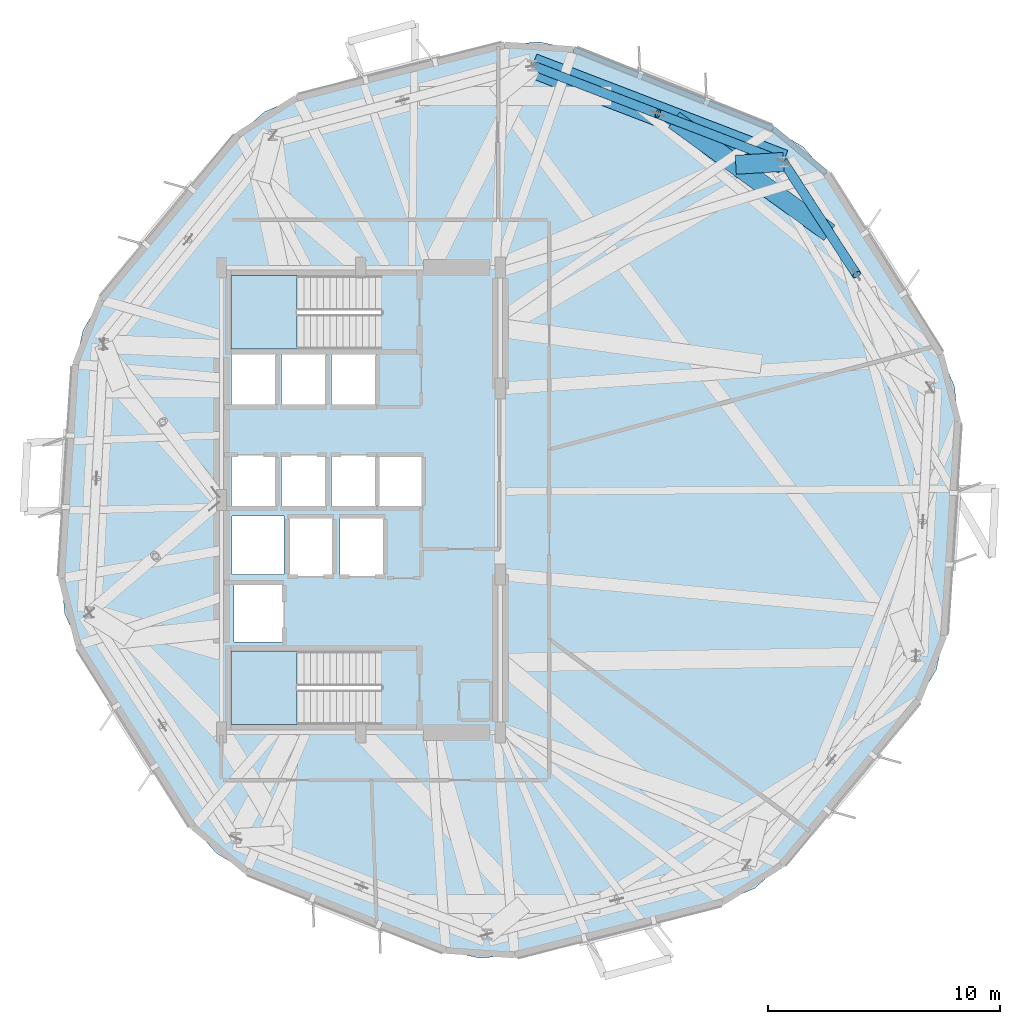
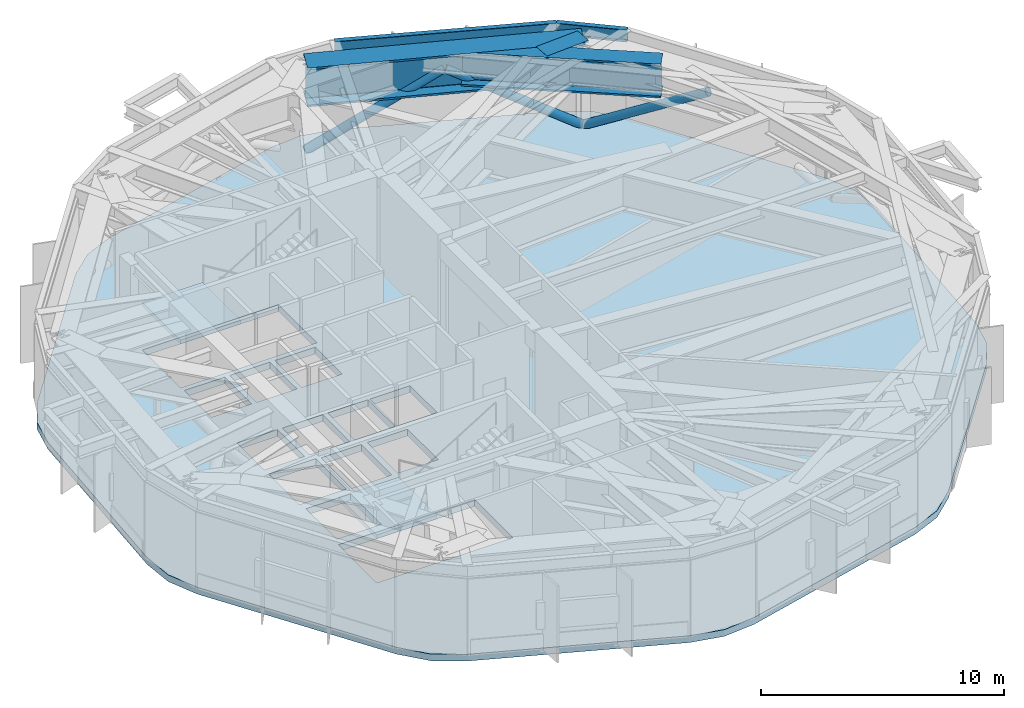
# One storey, part 5 of 13: 5 beams, 3 members, 3 slabs, 2 elements without a shape of their own.
"""IFC4 building model written with IfcOpenShell, lengths in metres."""

import ifcopenshell
import ifcopenshell.guid

model = None  # the IFC model being written
_history = None  # IfcOwnerHistory: only IFC2X3 demands one
_inside = {}  # id of a spatial element -> (the spatial element, [elements in it])
_under = {}  # id of a project, library or spatial element -> (it, [spatial elements below it])
_declared = {}  # id of a project -> (the project, [libraries it declares])
_typed = {}  # id of a type object -> (the type object, [elements of that type])
_made_of = {}  # id of a material, layer set ... -> (it, [elements and type objects made of it])


def new_model(schema):
    """Start an empty IFC model of exactly this schema.

    Asked for "IFC4X3", IfcOpenShell would pick the latest addendum, in which some entities
    have other attributes; the version numbers below select the first issue.
    IFC2X3 requires an IfcOwnerHistory on every rooted entity: one is made here for all.
    """
    global model, _history
    if schema == "IFC4X3":
        model = ifcopenshell.file(schema_version=(4, 3, 0, 0))
    else:
        model = ifcopenshell.file(schema=schema)
    _inside.clear()
    _under.clear()
    _declared.clear()
    _typed.clear()
    _made_of.clear()
    _history = None
    if model.schema == "IFC2X3":
        org = make("IfcOrganization", Name="unknown")
        user = make(
            "IfcPersonAndOrganization",
            ThePerson=make("IfcPerson", FamilyName="unknown"),
            TheOrganization=org,
        )
        app = make(
            "IfcApplication",
            ApplicationDeveloper=org,
            Version="unknown",
            ApplicationFullName="unknown",
            ApplicationIdentifier="unknown",
        )
        _history = make(
            "IfcOwnerHistory",
            OwningUser=user,
            OwningApplication=app,
            ChangeAction="ADDED",
            CreationDate=0,
        )
    return model


def make(cls, **values):
    """One entity of the class cls with the attributes given. An attribute that is None is left unset."""
    return model.create_entity(
        cls, **{name: value for name, value in values.items() if value is not None}
    )


def rooted(cls, **values):
    """An entity with a GlobalId (a new one), such as an element, a storey or a relation."""
    return make(cls, GlobalId=ifcopenshell.guid.new(), OwnerHistory=_history, **values)


def si_unit(unit_type, name, prefix=None):
    """IfcSIUnit, for example si_unit("LENGTHUNIT", "METRE", prefix="MILLI")."""
    return make("IfcSIUnit", UnitType=unit_type, Prefix=prefix, Name=name)


def assignment(units):
    """IfcUnitAssignment: the units of a project."""
    return None if units is None else make("IfcUnitAssignment", Units=units)


def point(xyz):
    """IfcCartesianPoint."""
    return None if xyz is None else make("IfcCartesianPoint", Coordinates=xyz)


def direction(xyz):
    """IfcDirection."""
    return None if xyz is None else make("IfcDirection", DirectionRatios=xyz)


def frame(location, z_axis=None, x_axis=None):
    """IfcAxis2Placement3D, a coordinate frame: its origin and axes. An axis left out is left unset."""
    return make(
        "IfcAxis2Placement3D",
        Location=point(location),
        Axis=direction(z_axis),
        RefDirection=direction(x_axis),
    )


def frame_2d(location, x_axis=None):
    """IfcAxis2Placement2D, a coordinate frame in the plane: its origin and x axis."""
    return make(
        "IfcAxis2Placement2D", Location=point(location), RefDirection=direction(x_axis)
    )


def origin():
    """The frame at (0, 0, 0) with its axes left unset."""
    return frame((0.0, 0.0, 0.0))


def origin_2d():
    """The frame at (0, 0) in the plane with its x axis left unset."""
    return frame_2d((0.0, 0.0))


def place(relative_to, where):
    """IfcLocalPlacement: puts the frame where relative to a parent placement (None: the world)."""
    return make(
        "IfcLocalPlacement", PlacementRelTo=relative_to, RelativePlacement=where
    )


def context(
    kind, dimensions, precision=None, world=None, true_north=None, identifier=None
):
    """IfcGeometricRepresentationContext, for example the 3D "Model" context."""
    return make(
        "IfcGeometricRepresentationContext",
        ContextIdentifier=identifier,
        ContextType=kind,
        CoordinateSpaceDimension=dimensions,
        Precision=precision,
        WorldCoordinateSystem=world,
        TrueNorth=true_north,
    )


def subcontext(parent, identifier, kind, view, scale=None):
    """IfcGeometricRepresentationSubContext, for example "Body" below "Model"."""
    return make(
        "IfcGeometricRepresentationSubContext",
        ContextIdentifier=identifier,
        ContextType=kind,
        ParentContext=parent,
        TargetScale=scale,
        TargetView=view,
    )


def project(units=None, contexts=None):
    """IfcProject with its units and contexts."""
    return rooted(
        "IfcProject",
        Name="project",
        RepresentationContexts=contexts,
        UnitsInContext=assignment(units),
    )


def spatial(cls, under=None, at=None, **own):
    """A site, building, storey or space (cls), placed at a placement, below another one or the project."""
    s = rooted(cls, ObjectPlacement=at, **own)
    if under is not None:
        _under.setdefault(under.id(), (under, []))[1].append(s)
    return s


def polyline(points):
    """IfcPolyline through the points."""
    return make("IfcPolyline", Points=[point(p) for p in points])


def profile(cls, at=None, kind="AREA", **sizes):
    """A parametric profile (cls). Its sizes go by their IFC names, for example OverallWidth=200.0."""
    return make(cls, ProfileType=kind, Position=at, **sizes)


def hollow_circle(**sizes):
    """IfcCircleHollowProfileDef."""
    return profile("IfcCircleHollowProfileDef", **sizes)


def i_section(**sizes):
    """IfcIShapeProfileDef."""
    return profile("IfcIShapeProfileDef", **sizes)


def outline(outer, holes=None, kind="AREA"):
    """IfcArbitraryClosedProfileDef: a profile drawn as a closed curve; with holes, ...WithVoids."""
    if holes is None:
        return make("IfcArbitraryClosedProfileDef", ProfileType=kind, OuterCurve=outer)
    return make(
        "IfcArbitraryProfileDefWithVoids",
        ProfileType=kind,
        OuterCurve=outer,
        InnerCurves=holes,
    )


def extrude(swept, where, along, depth):
    """IfcExtrudedAreaSolid: the profile swept, set in the frame where, extruded along a direction by depth."""
    return make(
        "IfcExtrudedAreaSolid",
        SweptArea=swept,
        Position=where,
        ExtrudedDirection=direction(along),
        Depth=depth,
    )


def shape(context_of_items, identifier, shape_type, items):
    """IfcShapeRepresentation: the items that make up one representation, for example the "Body"."""
    return make(
        "IfcShapeRepresentation",
        ContextOfItems=context_of_items,
        RepresentationIdentifier=identifier,
        RepresentationType=shape_type,
        Items=items,
    )


def material(Name=None, Category=None):
    """IfcMaterial."""
    return make("IfcMaterial", Name=Name, Category=Category)


def layer(
    of_material, thickness, ventilated=None, Name=None, Category=None, Priority=None
):
    """IfcMaterialLayer: one layer of a wall or slab, of a material (None: an air gap)."""
    return make(
        "IfcMaterialLayer",
        Material=of_material,
        LayerThickness=thickness,
        IsVentilated=ventilated,
        Name=Name,
        Category=Category,
        Priority=Priority,
    )


def layer_set(layers, Name=None):
    """IfcMaterialLayerSet."""
    return make("IfcMaterialLayerSet", MaterialLayers=layers, LayerSetName=Name)


def material_profile(
    of_material, cross_section, Name=None, Category=None, Priority=None
):
    """IfcMaterialProfile: a cross section and its material."""
    return make(
        "IfcMaterialProfile",
        Name=Name,
        Material=of_material,
        Profile=cross_section,
        Priority=Priority,
        Category=Category,
    )


def profile_set(profiles, Name=None, composite=None):
    """IfcMaterialProfileSet."""
    return make(
        "IfcMaterialProfileSet",
        Name=Name,
        MaterialProfiles=profiles,
        CompositeProfile=composite,
    )


def made_of(thing, what):
    """Note that an element or type object is made of a material, layer set ...; save() writes the relation."""
    if what is not None:
        _made_of.setdefault(what.id(), (what, []))[1].append(thing)
    return thing


def type_object(cls, material=None, **own):
    """A type object (cls), such as IfcWallType, which elements share."""
    return made_of(rooted(cls, **own), material)


def element(
    cls,
    number,
    at=None,
    inside=None,
    cuts=None,
    type_object=None,
    material=None,
    context=None,
    identifier="Body",
    shape_type=None,
    held_by="IfcProductDefinitionShape",
    body=None,
    shapes=None,
    **own,
):
    """One element of the class cls, such as IfcWall. Its Tag is "e" and its number.

    at: its placement. inside: the storey or other place that contains it. cuts: it is an
    opening in that element (IfcRelVoidsElement). A single representation is given by context,
    identifier, shape_type and body (its items); several are given by shapes. held_by: the class
    of the entity that holds the representations. save() writes the other relations.
    """
    e = rooted(cls, Tag="e%d" % number, ObjectPlacement=at, **own)
    if body is not None:
        shapes = [shape(context, identifier, shape_type, body)]
    if shapes is not None:
        e.Representation = make(held_by, Representations=shapes)
    if inside is not None:
        _inside.setdefault(inside.id(), (inside, []))[1].append(e)
    if cuts is not None:
        rooted(
            "IfcRelVoidsElement", RelatingBuildingElement=cuts, RelatedOpeningElement=e
        )
    if type_object is not None:
        _typed.setdefault(type_object.id(), (type_object, []))[1].append(e)
    return made_of(e, material)


def aggregate(whole, parts):
    """IfcRelAggregates: a whole, such as a stair, and the parts it consists of."""
    return rooted("IfcRelAggregates", RelatingObject=whole, RelatedObjects=parts)


def save(model, path):
    """Write the relations noted so far, then the file.

    IfcRelAggregates (storeys below a building ...), IfcRelContainedInSpatialStructure (elements
    in a storey), IfcRelDefinesByType, IfcRelAssociatesMaterial and IfcRelDeclares: one each for
    every whole, place, type object, material and project.
    """
    for whole, parts in _under.values():
        aggregate(whole, parts)
    for where, things in _inside.values():
        rooted(
            "IfcRelContainedInSpatialStructure",
            RelatedElements=things,
            RelatingStructure=where,
        )
    for kind, things in _typed.values():
        rooted("IfcRelDefinesByType", RelatedObjects=things, RelatingType=kind)
    for what, things in _made_of.values():
        rooted("IfcRelAssociatesMaterial", RelatedObjects=things, RelatingMaterial=what)
    for by, libraries in _declared.values():
        rooted("IfcRelDeclares", RelatingContext=by, RelatedDefinitions=libraries)
    model.write(path)


model = new_model("IFC4")

# Units and contexts
model_context = context("Model", 3, precision=1e-05, world=origin(), true_north=direction((0.0, 1.0)))
body_context = subcontext(model_context, "Body", "Model", "MODEL_VIEW")
ifc_project = project(units=[si_unit("LENGTHUNIT", "METRE"), si_unit("AREAUNIT", "SQUARE_METRE"), si_unit("VOLUMEUNIT", "CUBIC_METRE"), si_unit("PLANEANGLEUNIT", "RADIAN"), si_unit("MASSUNIT", "GRAM", prefix="KILO")], contexts=[model_context])

# Site, building, storey
site_placement = place(None, origin())
site = spatial("IfcSite", under=ifc_project, at=site_placement, CompositionType="ELEMENT")
building_placement = place(site_placement, origin())
building = spatial("IfcBuilding", under=site, at=building_placement, Name="Soratama Intermodal Tower", CompositionType="ELEMENT")
storey_placement = place(building_placement, frame((0.0, 0.0, 82.60009765625)))
storey = spatial("IfcBuildingStorey", under=building, at=storey_placement, Name="L19", CompositionType="ELEMENT", Elevation=82.60009765625)

# Beams
ifc_material_1 = material(Name="Structural steel ASTM A992 Grade 50", Category="steel")
ifc_material_profile_1 = material_profile(ifc_material_1, i_section(OverallWidth=0.22900390625, OverallDepth=0.612060546875, WebThickness=0.011962890625, FlangeThickness=0.01953125, FilletRadius=0.012939453125, at=origin_2d()), Name="W24X84")
ifc_profile_set_1 = profile_set([ifc_material_profile_1], Name="Structural steel ASTM A992 Grade 50")
beam_type_1 = type_object("IfcBeamType", Name="BM-SPN-W24X84", PredefinedType="SPANDREL", material=ifc_profile_set_1)
beam_1_placement = place(storey_placement, frame((58.616943359375, 39.069091796875, 4.19384765625), z_axis=(-0.769023536568, 0.639220462912, 0.0), x_axis=(-0.639220462912, -0.769023536568, 0.0)))
element("IfcBeam", 1, at=beam_1_placement, inside=storey, type_object=beam_type_1, Name="BS-L19-CRN01", PredefinedType="SPANDREL", context=body_context, shape_type="SweptSolid", body=[
    extrude(i_section(OverallWidth=0.22900390625, OverallDepth=0.612060546875, WebThickness=0.011962890625, FlangeThickness=0.01953125, FilletRadius=0.012939453125, at=origin_2d()), origin(), (0.0, 0.0, 1.0), 2.966064453125),
])
beam_2_placement = place(storey_placement, frame((56.3359375, 40.965087890625, 4.19384765625), z_axis=(-0.929022051879, 0.370024360174, 0.0), x_axis=(-0.370024360174, -0.929022051879, 0.0)))
element("IfcBeam", 2, at=beam_2_placement, inside=storey, type_object=beam_type_1, Name="BS-L19-F02", PredefinedType="SPANDREL", context=body_context, shape_type="SweptSolid", body=[
    extrude(i_section(OverallWidth=0.22900390625, OverallDepth=0.612060546875, WebThickness=0.011962890625, FlangeThickness=0.01953125, FilletRadius=0.012939453125, at=origin_2d()), origin(), (0.0, 0.0, 1.0), 9.2451171875),
])
ifc_material_2 = material(Name="Structural steel ASTM A992 Grade 50", Category="steel")
ifc_material_profile_2 = material_profile(ifc_material_2, i_section(OverallWidth=0.820068359375, OverallDepth=1.699951171875, WebThickness=0.053955078125, FlangeThickness=0.087890625, FilletRadius=0.02392578125, at=origin_2d()), Name="PG1580X800")
ifc_profile_set_2 = profile_set([ifc_material_profile_2], Name="Structural steel ASTM A992 Grade 50")
beam_type_2 = type_object("IfcBeamType", Name="BM-ZSTEP-PG1580", PredefinedType="BEAM", material=ifc_profile_set_2)
beam_3_placement = place(storey_placement, frame((52.073974609375, 41.35498046875, 3.64990234375), z_axis=(0.808984961245, -0.587829339587, 0.0), x_axis=(0.587829339587, 0.808984961245, 0.0)))
element("IfcBeam", 3, at=beam_3_placement, inside=storey, type_object=beam_type_2, Name="BM-L19-ZCHORD-02", PredefinedType="BEAM", context=body_context, shape_type="SweptSolid", body=[
    extrude(i_section(OverallWidth=0.820068359375, OverallDepth=1.699951171875, WebThickness=0.053955078125, FlangeThickness=0.087890625, FilletRadius=0.02392578125, at=origin_2d()), origin(), (0.0, 0.0, 1.0), 8.26953125),
])
ifc_material_3 = material(Name="Structural steel ASTM A992 Grade 50", Category="steel")
ifc_material_profile_3 = material_profile(ifc_material_3, i_section(OverallWidth=0.820068359375, OverallDepth=1.60205078125, WebThickness=0.055908203125, FlangeThickness=0.092041015625, FilletRadius=0.02392578125, at=origin_2d()), Name="PG1600X650")
ifc_profile_set_3 = profile_set([ifc_material_profile_3], Name="Structural steel ASTM A992 Grade 50")
beam_type_3 = type_object("IfcBeamType", Name="BM-ZSTEP-PG1600", PredefinedType="BEAM", material=ifc_profile_set_3)
beam_4_placement = place(storey_placement, frame((56.781005859375, 39.548095703125, 3.698974609375), z_axis=(-0.998205271657, -0.059885187111, 0.0), x_axis=(0.059885187111, -0.998205271657, 0.0)))
element("IfcBeam", 4, at=beam_4_placement, inside=storey, type_object=beam_type_3, Name="BM-L19-ZSTEP-A02", PredefinedType="BEAM", context=body_context, shape_type="SweptSolid", body=[
    extrude(i_section(OverallWidth=0.820068359375, OverallDepth=1.60205078125, WebThickness=0.055908203125, FlangeThickness=0.092041015625, FilletRadius=0.02392578125, at=origin_2d()), origin(), (0.0, 0.0, 1.0), 2.0546875),
])
ifc_material_4 = material(Name="Structural steel ASTM A992 Grade 50", Category="steel")
ifc_material_profile_4 = material_profile(ifc_material_4, i_section(OverallWidth=1.06005859375, OverallDepth=1.9599609375, WebThickness=0.05810546875, FlangeThickness=0.095947265625, FilletRadius=0.02392578125, at=origin_2d()), Name="PG2400X900")
ifc_profile_set_4 = profile_set([ifc_material_profile_4], Name="Structural steel ASTM A992 Grade 50")
beam_type_4 = type_object("IfcBeamType", Name="BM-ZSTEP-PG2400", PredefinedType="BEAM", material=ifc_profile_set_4)
beam_5_placement = place(storey_placement, frame((56.781005859375, 39.548095703125, 3.52001953125), z_axis=(-0.933584159632, 0.358358224246, 0.0), x_axis=(-0.358358224246, -0.933584159632, 0.0)))
element("IfcBeam", 5, at=beam_5_placement, inside=storey, type_object=beam_type_4, Name="BM-L19-RING-02", PredefinedType="BEAM", context=body_context, shape_type="SweptSolid", body=[
    extrude(i_section(OverallWidth=1.06005859375, OverallDepth=1.9599609375, WebThickness=0.05810546875, FlangeThickness=0.095947265625, FilletRadius=0.02392578125, at=origin_2d()), origin(), (0.0, 0.0, 1.0), 11.5693359375),
])

# Members
ifc_material_5 = material(Name="Structural steel ASTM A500 Grade C", Category="steel")
ifc_material_profile_5 = material_profile(ifc_material_5, hollow_circle(Radius=0.203125, WallThickness=0.01611328125, at=origin_2d()), Name="CHS406X16")
ifc_profile_set_5 = profile_set([ifc_material_profile_5], Name="Structural steel ASTM A500 Grade C")
member_type = type_object("IfcMemberType", Name="MB-BLT-CHS406", PredefinedType="BRACE", material=ifc_profile_set_5)
member_1_placement = place(storey_placement, frame((56.781005859375, 39.548095703125, 0.010009765625), z_axis=(0.46560033787, -0.717018747222, 0.518748919525), x_axis=(0.838690379159, 0.544608527207, 0.0)))
element("IfcMember", 6, at=member_1_placement, inside=storey, type_object=member_type, Name="L19 Belt Truss Brace B 01", PredefinedType="BRACE", context=body_context, shape_type="SweptSolid", body=[
    extrude(hollow_circle(Radius=0.203125, WallThickness=0.01611328125, at=origin_2d()), origin(), (0.0, 0.0, 1.0), 6.766357421875),
])
member_2_placement = place(storey_placement, frame((56.781005859375, 39.548095703125, 0.010009765625), z_axis=(-0.798144458232, 0.306398568749, 0.51873436445), x_axis=(-0.358387947669, -0.933572749691, 0.0)))
element("IfcMember", 7, at=member_2_placement, inside=storey, type_object=member_type, Name="L19 Belt Truss Brace A 02", PredefinedType="BRACE", context=body_context, shape_type="SweptSolid", body=[
    extrude(hollow_circle(Radius=0.203125, WallThickness=0.01611328125, at=origin_2d()), origin(), (0.0, 0.0, 1.0), 6.7666015625),
])
member_3_placement = place(storey_placement, frame((45.979736328125, 43.6943359375, 0.010009765625), z_axis=(0.798153281442, -0.306365874632, 0.518740098879), x_axis=(0.358351164461, 0.933586869514, 0.0)))
element("IfcMember", 8, at=member_3_placement, inside=storey, type_object=member_type, Name="L19 Belt Truss Brace B 02", PredefinedType="BRACE", context=body_context, shape_type="SweptSolid", body=[
    extrude(hollow_circle(Radius=0.203125, WallThickness=0.01611328125, at=origin_2d()), origin(), (0.0, 0.0, 1.0), 6.766357421875),
])

# Stair, slab
ifc_material_6 = material(Name="Concrete f'c 42 MPa", Category="concrete")
stair_type = type_object("IfcStairType", Name="ST-CORE-DOGLEG", PredefinedType="HALF_TURN_STAIR", material=ifc_material_6)
stair_1_placement = place(storey_placement, origin())
stair_1 = element("IfcStair", 9, at=stair_1_placement, inside=storey, type_object=stair_type, Name="L19 ST-1", PredefinedType="HALF_TURN_STAIR")
ifc_material_7 = material(Name="Concrete f'c 42 MPa", Category="concrete")
ifc_layer_1 = layer(ifc_material_7, 0.219970703125)
ifc_layer_set_1 = layer_set([ifc_layer_1], Name="Concrete f'c 42 MPa")
slab_type_1 = type_object("IfcSlabType", Name="SL-STAIR-LAND", PredefinedType="LANDING", material=ifc_layer_set_1)
slab_1_placement = place(storey_placement, frame((0.0, 0.0, 2.199951171875)))
slab_1 = element("IfcSlab", 10, at=slab_1_placement, type_object=slab_type_1, Name="ST-1 landing 1", PredefinedType="LANDING", context=body_context, shape_type="SweptSolid", body=[
    extrude(outline(polyline([(35.860107421875, 18.5), (33.0, 18.5), (33.0, 15.35009765625), (35.860107421875, 15.35009765625), (35.860107421875, 18.5)])), origin(), (0.0, 0.0, 1.0), 0.199951171875),
])
aggregate(stair_1, [slab_1])

stair_2_placement = place(storey_placement, origin())
stair_2 = element("IfcStair", 11, at=stair_2_placement, inside=storey, type_object=stair_type, Name="L19 ST-2", PredefinedType="HALF_TURN_STAIR")
slab_2_placement = place(storey_placement, frame((0.0, 0.0, 2.199951171875)))
slab_2 = element("IfcSlab", 12, at=slab_2_placement, type_object=slab_type_1, Name="ST-2 landing 1", PredefinedType="LANDING", context=body_context, shape_type="SweptSolid", body=[
    extrude(outline(polyline([(35.860107421875, 34.64990234375), (33.0, 34.64990234375), (33.0, 31.5), (35.860107421875, 31.5), (35.860107421875, 34.64990234375)])), origin(), (0.0, 0.0, 1.0), 0.199951171875),
])
aggregate(stair_2, [slab_2])

# Slab
ifc_material_8 = material(Name="Concrete f'c 42 MPa", Category="concrete")
ifc_layer_2 = layer(ifc_material_8, 0.340087890625)
ifc_layer_set_2 = layer_set([ifc_layer_2], Name="Concrete f'c 42 MPa")
slab_type_2 = type_object("IfcSlabType", Name="SL-TRN-340", PredefinedType="FLOOR", material=ifc_layer_set_2)
slab_3_placement = place(storey_placement, frame((0.0, 0.0, -0.340087890625)))
element("IfcSlab", 13, at=slab_3_placement, inside=storey, type_object=slab_type_2, Name="L19 Structural Floor Slab", PredefinedType="FLOOR", context=body_context, shape_type="SweptSolid", body=[
    extrude(outline(polyline([(64.28662109375, 28.37841796875), (64.148193359375, 29.873779296875), (63.5546875, 31.253173828125), (58.617431640625, 39.0693359375), (57.626708984375, 40.197998046875), (56.33544921875, 40.965087890625), (47.746826171875, 44.386474609375), (46.281982421875, 44.71728515625), (44.78662109375, 44.5791015625), (35.8271484375, 42.298583984375), (34.44775390625, 41.705078125), (33.319091796875, 40.71435546875), (27.4111328125, 33.603271484375), (26.64404296875, 32.312255859375), (26.3134765625, 30.84716796875), (25.71337890625, 21.62158203125), (25.851806640625, 20.126220703125), (26.4453125, 18.746826171875), (31.382568359375, 10.9306640625), (32.373291015625, 9.802001953125), (33.66455078125, 9.034912109375), (42.253173828125, 5.613525390625), (43.718017578125, 5.28271484375), (45.21337890625, 5.4208984375), (54.1728515625, 7.701416015625), (55.55224609375, 8.294921875), (56.680908203125, 9.28564453125), (62.5888671875, 16.396728515625), (63.35595703125, 17.687744140625), (63.6865234375, 19.15283203125), (64.28662109375, 28.37841796875)]), holes=[polyline([(33.0, 18.5), (33.0, 15.35009765625), (39.47509765625, 15.35009765625), (39.47509765625, 18.5), (33.0, 18.5)]), polyline([(35.260009765625, 18.889892578125), (35.260009765625, 21.409912109375), (33.139892578125, 21.409912109375), (33.139892578125, 18.889892578125), (35.260009765625, 18.889892578125)]), polyline([(33.050048828125, 21.800048828125), (35.280029296875, 21.800048828125), (35.280029296875, 24.320068359375), (33.050048828125, 24.320068359375), (33.050048828125, 21.800048828125)]), polyline([(34.9599609375, 26.909912109375), (33.0400390625, 26.909912109375), (33.0400390625, 24.68994140625), (34.9599609375, 24.68994140625), (34.9599609375, 26.909912109375)]), polyline([(37.110107421875, 24.68994140625), (37.110107421875, 26.909912109375), (35.18994140625, 26.909912109375), (35.18994140625, 24.68994140625), (37.110107421875, 24.68994140625)]), polyline([(34.9599609375, 29.0400390625), (34.9599609375, 31.260009765625), (33.0400390625, 31.260009765625), (33.0400390625, 29.0400390625), (34.9599609375, 29.0400390625)]), polyline([(37.110107421875, 31.260009765625), (35.18994140625, 31.260009765625), (35.18994140625, 29.0400390625), (37.110107421875, 29.0400390625), (37.110107421875, 31.260009765625)]), polyline([(37.409912109375, 21.739990234375), (37.409912109375, 24.260009765625), (35.489990234375, 24.260009765625), (35.489990234375, 21.739990234375), (37.409912109375, 21.739990234375)]), polyline([(39.610107421875, 21.739990234375), (39.610107421875, 24.260009765625), (37.68994140625, 24.260009765625), (37.68994140625, 21.739990234375), (39.610107421875, 21.739990234375)]), polyline([(39.260009765625, 24.68994140625), (39.260009765625, 26.909912109375), (37.340087890625, 26.909912109375), (37.340087890625, 24.68994140625), (39.260009765625, 24.68994140625)]), polyline([(41.260009765625, 24.68994140625), (41.260009765625, 26.909912109375), (39.340087890625, 26.909912109375), (39.340087890625, 24.68994140625), (41.260009765625, 24.68994140625)]), polyline([(39.260009765625, 29.0400390625), (39.260009765625, 31.260009765625), (37.340087890625, 31.260009765625), (37.340087890625, 29.0400390625), (39.260009765625, 29.0400390625)]), polyline([(39.47509765625, 34.64990234375), (33.0, 34.64990234375), (33.0, 31.5), (39.47509765625, 31.5), (39.47509765625, 34.64990234375)])]), origin(), (0.0, 0.0, 1.0), 0.340087890625),
])

save(model, "model.ifc")
